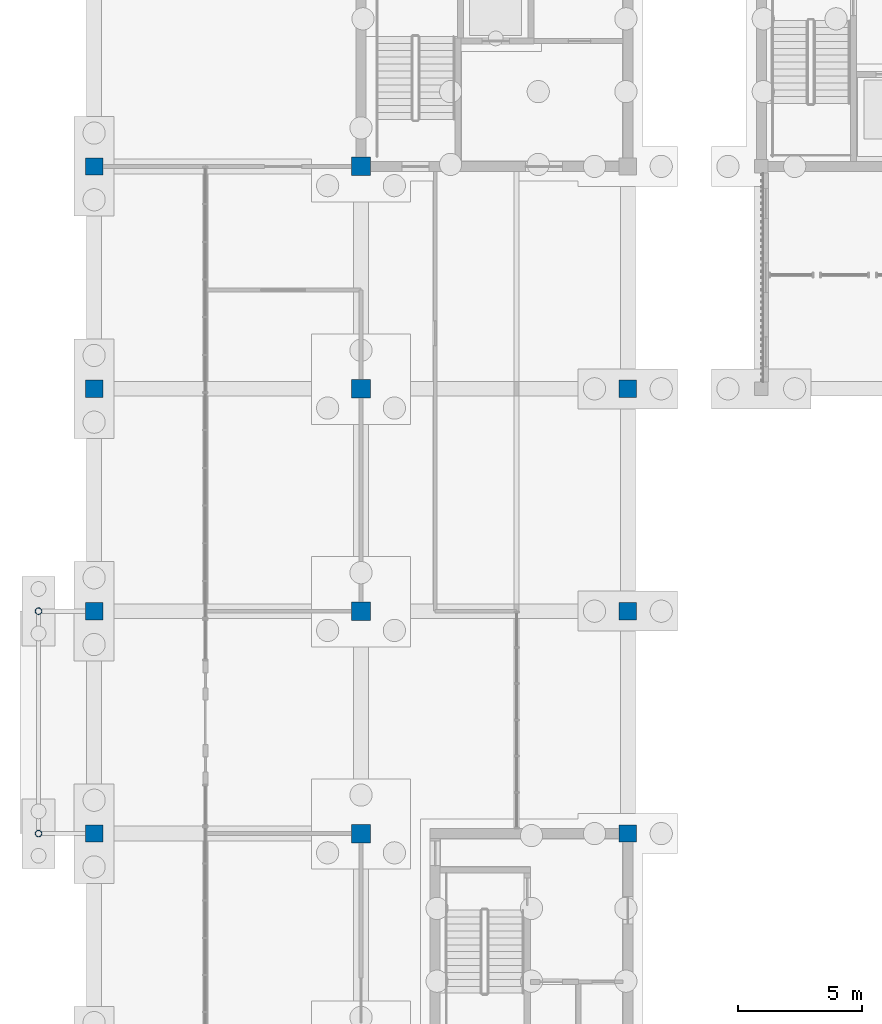
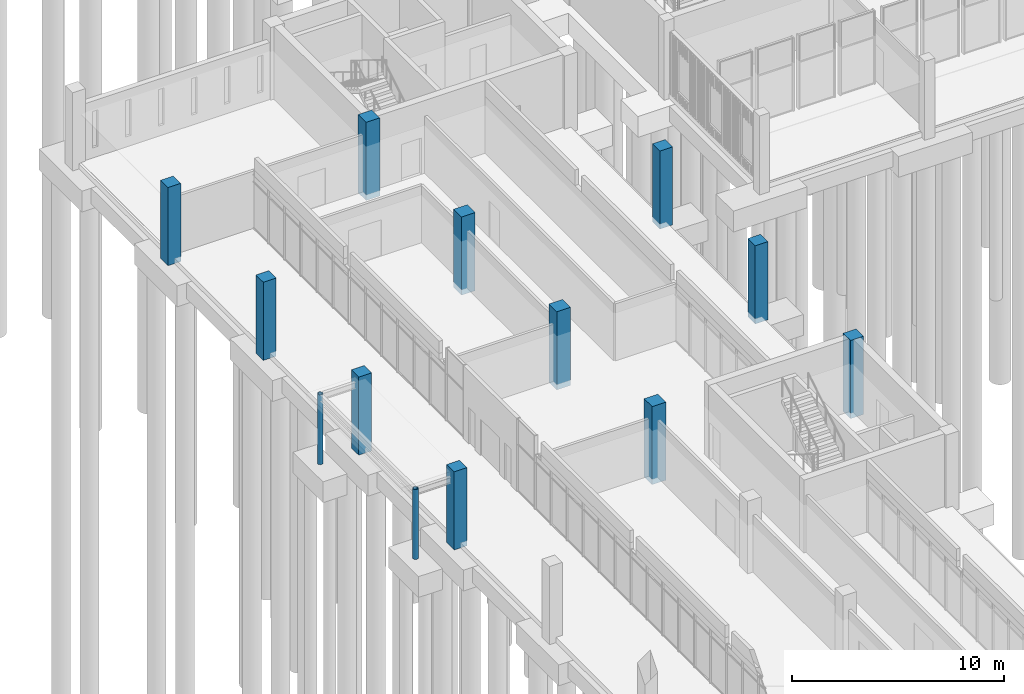
# One storey, part 18 of 106: 13 columns.
"""IFC4 building model written with IfcOpenShell, lengths in metres."""

from ifc_helpers import new_model, si_unit, direction, frame, origin, origin_2d, place, context, subcontext, project, spatial, rectangle, hollow_circle, extrude, material, material_profile, profile_set, type_object, element, save


model = new_model("IFC4")

# Units and contexts
model_context = context("Model", 3, precision=1e-05, world=origin(), true_north=direction((0.0, 1.0)))
body_context = subcontext(model_context, "Body", "Model", "MODEL_VIEW")
ifc_project = project(units=[si_unit("LENGTHUNIT", "METRE"), si_unit("AREAUNIT", "SQUARE_METRE"), si_unit("VOLUMEUNIT", "CUBIC_METRE"), si_unit("PLANEANGLEUNIT", "RADIAN"), si_unit("MASSUNIT", "GRAM", prefix="KILO")], contexts=[model_context])

# Site, building, storey
site_placement = place(None, origin())
site = spatial("IfcSite", under=ifc_project, at=site_placement, CompositionType="ELEMENT")
building_placement = place(site_placement, origin())
building = spatial("IfcBuilding", under=site, at=building_placement, Name="Merrow Basin Faculty of Sciences", CompositionType="ELEMENT")
storey_placement = place(building_placement, origin())
storey = spatial("IfcBuildingStorey", under=building, at=storey_placement, Name="L00", CompositionType="ELEMENT", Elevation=0.0)

# Columns
ifc_material_1 = material(Name="Concrete C40/50", Category="concrete")
ifc_material_profile_1 = material_profile(ifc_material_1, rectangle(XDim=0.699951171875, YDim=0.699951171875, at=origin_2d()))
ifc_profile_set_1 = profile_set([ifc_material_profile_1], Name="Concrete C40/50")
column_type_1 = type_object("IfcColumnType", Name="Column RC700x700 C40/50", PredefinedType="COLUMN", material=ifc_profile_set_1)
for number, where, z_axis, x_axis, name in (
    (1, (0.0, 97.0, -0.300048828125), (0.0, 0.0, 1.0), (1.0, 0.0, 0.0), "Column A5 L00"),
    (2, (0.0, 106.0, -0.300048828125), (0.0, 0.0, 1.0), (1.0, 0.0, 0.0), "Column A6 L00"),
    (3, (0.0, 115.0, -0.300048828125), (0.0, 0.0, 1.0), (1.0, 0.0, 0.0), "Column A7 L00"),
    (4, (0.0, 124.0, -0.300048828125), (0.0, 0.0, 1.0), (1.0, 0.0, 0.0), "Column A8 L00"),
    (5, (21.60009765625, 97.0, -0.300048828125), (0.0, 0.0, 1.0), (1.0, 0.0, 0.0), "Column C5 L00"),
    (6, (21.60009765625, 106.0, -0.300048828125), (0.0, 0.0, 1.0), (1.0, 0.0, 0.0), "Column C6 L00"),
    (7, (21.60009765625, 115.0, -0.300048828125), (0.0, 0.0, 1.0), (1.0, 0.0, 0.0), "Column C7 L00"),
):
    element("IfcColumn", number, at=place(storey_placement, frame(where, z_axis=z_axis, x_axis=x_axis)), inside=storey, type_object=column_type_1, Name=name, PredefinedType="COLUMN", context=body_context, shape_type="SweptSolid", body=[
        extrude(rectangle(XDim=0.699951171875, YDim=0.699951171875, at=origin_2d()), origin(), (0.0, 0.0, 1.0), 4.5),
    ])
ifc_material_2 = material(Name="Concrete C40/50", Category="concrete")
ifc_material_profile_2 = material_profile(ifc_material_2, rectangle(XDim=0.75, YDim=0.75, at=origin_2d()))
ifc_profile_set_2 = profile_set([ifc_material_profile_2], Name="Concrete C40/50")
column_type_2 = type_object("IfcColumnType", Name="Column RC750x750 C40/50", PredefinedType="COLUMN", material=ifc_profile_set_2)
for number, where, z_axis, x_axis, name in (
    (8, (10.800048828125, 97.0, -0.300048828125), (0.0, 0.0, 1.0), (1.0, 0.0, 0.0), "Column B5 L00"),
    (9, (10.800048828125, 106.0, -0.300048828125), (0.0, 0.0, 1.0), (1.0, 0.0, 0.0), "Column B6 L00"),
    (10, (10.800048828125, 115.0, -0.300048828125), (0.0, 0.0, 1.0), (1.0, 0.0, 0.0), "Column B7 L00"),
    (11, (10.800048828125, 124.0, -0.300048828125), (0.0, 0.0, 1.0), (1.0, 0.0, 0.0), "Column B8 L00"),
):
    element("IfcColumn", number, at=place(storey_placement, frame(where, z_axis=z_axis, x_axis=x_axis)), inside=storey, type_object=column_type_2, Name=name, PredefinedType="COLUMN", context=body_context, shape_type="SweptSolid", body=[
        extrude(rectangle(XDim=0.75, YDim=0.75, at=origin_2d()), origin(), (0.0, 0.0, 1.0), 4.5),
    ])
ifc_material_3 = material(Name="Steel ASTM A500 Gr C", Category="steel")
ifc_material_profile_3 = material_profile(ifc_material_3, hollow_circle(Radius=0.136474609375, WallThickness=0.0126953125, at=origin_2d()))
ifc_profile_set_3 = profile_set([ifc_material_profile_3], Name="Steel ASTM A500 Gr C")
column_type_3 = type_object("IfcColumnType", Name="Entrance canopy column CHS273x12.7", PredefinedType="COLUMN", material=ifc_profile_set_3)
for number, where, z_axis, x_axis, name in (
    (12, (-2.25, 97.0, -0.300048828125), (0.0, 0.0, 1.0), (1.0, 0.0, 0.0), "Entrance canopy column"),
    (13, (-2.25, 106.0, -0.300048828125), (0.0, 0.0, 1.0), (1.0, 0.0, 0.0), "Entrance canopy column"),
):
    element("IfcColumn", number, at=place(storey_placement, frame(where, z_axis=z_axis, x_axis=x_axis)), inside=storey, type_object=column_type_3, Name=name, PredefinedType="COLUMN", context=body_context, shape_type="SweptSolid", body=[
        extrude(hollow_circle(Radius=0.136474609375, WallThickness=0.0126953125, at=origin_2d()), origin(), (0.0, 0.0, 1.0), 4.02001953125),
    ])

save(model, "model.ifc")
